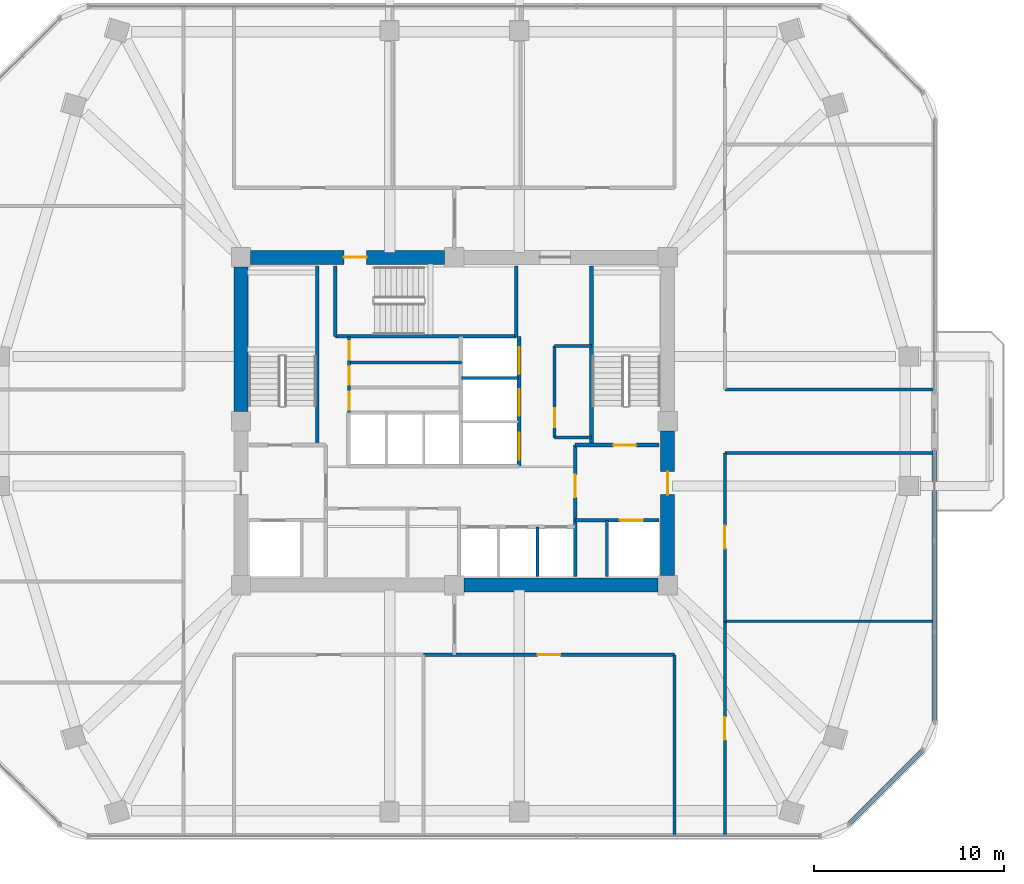
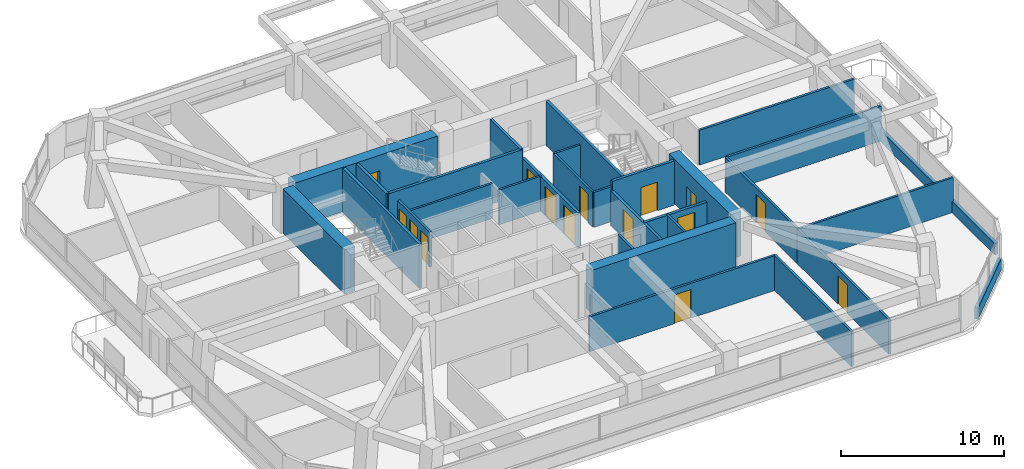
# One storey, part 11 of 14: 30 walls, 15 doors, 15 openings.
"""IFC4 building model written with IfcOpenShell, lengths in metres."""

from ifc_helpers import new_model, si_unit, derived_unit, direction, frame, frame_2d, origin, place, context, subcontext, project, spatial, rectangle, extrude, material, layer, layer_set, type_object, element, fill, save


model = new_model("IFC4")

# Units and contexts
model_context = context("Model", 3, precision=1e-05, world=origin(), true_north=direction((0.0, 1.0)))
body_context = subcontext(model_context, "Body", "Model", "MODEL_VIEW")
ifc_project = project(units=[si_unit("LENGTHUNIT", "METRE"), si_unit("AREAUNIT", "SQUARE_METRE"), si_unit("VOLUMEUNIT", "CUBIC_METRE"), si_unit("PLANEANGLEUNIT", "RADIAN"), si_unit("MASSUNIT", "GRAM", prefix="KILO"), derived_unit("THERMALTRANSMITTANCEUNIT", [(si_unit("POWERUNIT", "WATT"), 1), (si_unit("LENGTHUNIT", "METRE"), -2), (si_unit("THERMODYNAMICTEMPERATUREUNIT", "KELVIN"), -1)])], contexts=[model_context])

# Site, building, storey
site_placement = place(None, origin())
site = spatial("IfcSite", under=ifc_project, at=site_placement, CompositionType="ELEMENT")
building_placement = place(site_placement, origin())
building = spatial("IfcBuilding", under=site, at=building_placement, Name="Koralith Skygarden Medical Center", CompositionType="ELEMENT")
storey_placement = place(building_placement, frame((0.0, 0.0, 106.3798828125)))
storey = spatial("IfcBuildingStorey", under=building, at=storey_placement, Name="L27", CompositionType="ELEMENT", Elevation=106.3798828125)

# Wall, opening, door
ifc_material_1 = material(Name="Gypsum Board Partition")
ifc_layer_1 = layer(ifc_material_1, 0.14990234375)
ifc_layer_set_1 = layer_set([ifc_layer_1], Name="Gypsum Board Partition")
wall_type_1 = type_object("IfcWallType", Name="Clinical Acoustic Partition 150", PredefinedType="PARTITIONING", material=ifc_layer_set_1)
wall_1_placement = place(storey_placement, frame((42.27001953125, 25.0400390625, 0.0), z_axis=(0.0, 0.0, 1.0), x_axis=(0.0, 1.0, 0.0)))
wall_1 = element("IfcWall", 1, at=wall_1_placement, inside=storey, type_object=wall_type_1, Name="L27 Clinical Acoustic Partition 150 W-CORE-L27-ESUB-W", PredefinedType="PARTITIONING", context=body_context, shape_type="SweptSolid", body=[
    extrude(rectangle(XDim=4.820068359375, YDim=0.14990234375, at=frame_2d((2.41015625, 0.0))), origin(), (0.0, 0.0, 1.0), 2.610107421875),
])
opening_1_placement = place(wall_1_placement, frame((0.550048828125, 0.0, 0.0)))
opening_1 = element("IfcOpeningElement", 2, at=opening_1_placement, cuts=wall_1, Name="Opening D-SUP", PredefinedType="OPENING", context=body_context, shape_type="SweptSolid", body=[
    extrude(rectangle(XDim=1.0, YDim=2.14990234375, at=frame_2d((0.5, 1.074951171875))), frame((0.0, 0.0849609375, 0.0), z_axis=(0.0, -1.0, 0.0), x_axis=(1.0, 0.0, 0.0)), (0.0, 0.0, 1.0), 0.169921875),
])
ifc_material_2 = material(Name="Aluminium 6063-T6", Category="aluminium")
door_type_1 = type_object("IfcDoorType", Name="Clinical Support Door D-SUP 1000", OperationType="NOTDEFINED", PredefinedType="DOOR", material=ifc_material_2)
door_1_placement = place(opening_1_placement, origin())
door_1 = element("IfcDoor", 3, at=door_1_placement, inside=storey, type_object=door_type_1, Name="L27 Core Equipment Store Door", OperationType="SINGLE_SWING_LEFT", OverallHeight=2.14990234375, OverallWidth=1.0, PredefinedType="DOOR", context=body_context, shape_type="SweptSolid", body=[
    extrude(rectangle(XDim=1.0, YDim=2.14990234375, at=frame_2d((0.5, 1.074951171875))), frame((0.0, 0.02490234375, 0.0), z_axis=(0.0, -1.0, 0.0), x_axis=(1.0, 0.0, 0.0)), (0.0, 0.0, 1.0), 0.050048828125),
])
fill(opening_1, door_1)

# Walls
for number, where, z_axis, x_axis, name in (
    (4, (42.27001953125, 25.0400390625, 0.0), (0.0, 0.0, 1.0), (1.0, 0.0, 0.0), "L27 Clinical Acoustic Partition 150 W-CORE-L27-ESUB-S"),
    (5, (42.27001953125, 29.860107421875, 0.0), (0.0, 0.0, 1.0), (1.0, 0.0, 0.0), "L27 Clinical Acoustic Partition 150 W-CORE-L27-ESUB-N"),
):
    element("IfcWall", number, at=place(storey_placement, frame(where, z_axis=z_axis, x_axis=x_axis)), inside=storey, type_object=wall_type_1, Name=name, PredefinedType="PARTITIONING", context=body_context, shape_type="SweptSolid", body=[
        extrude(rectangle(XDim=1.929931640625, YDim=0.14990234375, at=frame_2d((0.96484375, 0.0))), origin(), (0.0, 0.0, 1.0), 2.610107421875),
    ])
wall_2_placement = place(storey_placement, frame((31.47998046875, 28.97998046875, 0.0), z_axis=(0.0, 0.0, 1.0), x_axis=(1.0, 0.0, 0.0)))
element("IfcWall", 6, at=wall_2_placement, inside=storey, type_object=wall_type_1, Name="L27 Clinical Acoustic Partition 150 W-CORE-L27-FLEX-H1B", PredefinedType="PARTITIONING", context=body_context, shape_type="SweptSolid", body=[
    extrude(rectangle(XDim=5.89013671875, YDim=0.14990234375, at=frame_2d((2.945068359375, 0.0))), origin(), (0.0, 0.0, 1.0), 2.610107421875),
])
wall_3_placement = place(storey_placement, frame((51.2099609375, 15.39697265625, 0.0), z_axis=(0.0, 0.0, 1.0), x_axis=(1.0, 0.0, 0.0)))
element("IfcWall", 7, at=wall_3_placement, inside=storey, type_object=wall_type_1, Name="L27 Clinical Acoustic Partition 150 W-PART-L27-ES-01", PredefinedType="PARTITIONING", context=body_context, shape_type="SweptSolid", body=[
    extrude(rectangle(XDim=10.97900390625, YDim=0.14990234375, at=frame_2d((5.489501953125, 0.0))), origin(), (0.0, 0.0, 1.0), 2.610107421875),
])
ifc_layer_2 = layer(ifc_material_1, 0.1650390625)
ifc_layer_set_2 = layer_set([ifc_layer_2], Name="Gypsum Board Partition")
wall_type_2 = type_object("IfcWallType", Name="Clinical Corridor Partition 165", PredefinedType="PARTITIONING", material=ifc_layer_set_2)
wall_4_placement = place(storey_placement, frame((48.570068359375, 4.14208984375, 0.0), z_axis=(0.0, 0.0, 1.0), x_axis=(0.0, 1.0, 0.0)))
element("IfcWall", 8, at=wall_4_placement, inside=storey, type_object=wall_type_2, Name="L27 Clinical Corridor Partition 165 W-HCOR-L27-SE", PredefinedType="PARTITIONING", context=body_context, shape_type="SweptSolid", body=[
    extrude(rectangle(XDim=9.497802734375, YDim=0.1650390625, at=frame_2d((4.7490234375, 0.0))), origin(), (0.0, 0.0, 1.0), 2.610107421875),
])
for number, where, z_axis, x_axis, name in (
    (9, (51.2099609375, 24.239990234375, 0.0), (0.0, 0.0, 1.0), (1.0, 0.0, 0.0), "L27 Clinical Corridor Partition 165 W-HCOR-L27-EWS-E"),
    (10, (51.2099609375, 27.56005859375, 0.0), (0.0, 0.0, 1.0), (1.0, 0.0, 0.0), "L27 Clinical Corridor Partition 165 W-HCOR-L27-EWN-E"),
):
    element("IfcWall", number, at=place(storey_placement, frame(where, z_axis=z_axis, x_axis=x_axis)), inside=storey, type_object=wall_type_2, Name=name, PredefinedType="PARTITIONING", context=body_context, shape_type="SweptSolid", body=[
        extrude(rectangle(XDim=10.97900390625, YDim=0.1650390625, at=frame_2d((5.489501953125, 0.0))), origin(), (0.0, 0.0, 1.0), 2.610107421875),
    ])

# Wall, opening, door
wall_5_placement = place(storey_placement, frame((35.382080078125, 13.639892578125, 0.0), z_axis=(0.0, 0.0, 1.0), x_axis=(1.0, 0.0, 0.0)))
wall_5 = element("IfcWall", 11, at=wall_5_placement, inside=storey, type_object=wall_type_2, Name="L27 Clinical Corridor Partition 165 W-CORR-L27-S-02", PredefinedType="PARTITIONING", context=body_context, shape_type="SweptSolid", body=[
    extrude(rectangle(XDim=13.18798828125, YDim=0.1650390625, at=frame_2d((6.593994140625, 0.0))), origin(), (0.0, 0.0, 1.0), 2.610107421875),
])
opening_2_placement = place(wall_5_placement, frame((5.993896484375, 0.0, 0.0)))
opening_2 = element("IfcOpeningElement", 12, at=opening_2_placement, cuts=wall_5, Name="Opening D-CLN", PredefinedType="OPENING", context=body_context, shape_type="SweptSolid", body=[
    extrude(rectangle(XDim=1.199951171875, YDim=2.14990234375, at=frame_2d((0.60009765625, 1.074951171875))), frame((0.0, 0.092529296875, 0.0), z_axis=(0.0, -1.0, 0.0), x_axis=(1.0, 0.0, 0.0)), (0.0, 0.0, 1.0), 0.18505859375),
])
door_type_2 = type_object("IfcDoorType", Name="Clinical Corridor Door D-CLN 1200", OperationType="NOTDEFINED", PredefinedType="DOOR", material=ifc_material_2)
door_2_placement = place(opening_2_placement, frame((1.199951171875, 0.0, 0.0), z_axis=(0.0, 0.0, 1.0), x_axis=(-1.0, 0.0, 0.0)))
door_2 = element("IfcDoor", 13, at=door_2_placement, inside=storey, type_object=door_type_2, Name="L27 Tumor Board Conference Room 05 Door", OperationType="SINGLE_SWING_RIGHT", OverallHeight=2.14990234375, OverallWidth=1.199951171875, PredefinedType="DOOR", context=body_context, shape_type="SweptSolid", body=[
    extrude(rectangle(XDim=1.199951171875, YDim=2.14990234375, at=frame_2d((0.60009765625, 1.074951171875))), frame((0.0, 0.02490234375, 0.0), z_axis=(0.0, -1.0, 0.0), x_axis=(1.0, 0.0, 0.0)), (0.0, 0.0, 1.0), 0.050048828125),
])
fill(opening_2, door_2)

wall_6_placement = place(storey_placement, frame((51.2099609375, 4.14208984375, 0.0), z_axis=(0.0, 0.0, 1.0), x_axis=(0.0, 1.0, 0.0)))
wall_6 = element("IfcWall", 14, at=wall_6_placement, inside=storey, type_object=wall_type_2, Name="L27 Clinical Corridor Partition 165 W-CORR-L27-ES-01", PredefinedType="PARTITIONING", context=body_context, shape_type="SweptSolid", body=[
    extrude(rectangle(XDim=11.2548828125, YDim=0.1650390625, at=frame_2d((5.62744140625, 0.0))), origin(), (0.0, 0.0, 1.0), 2.610107421875),
])
opening_3_placement = place(wall_6_placement, frame((5.027099609375, 0.0, 0.0)))
opening_3 = element("IfcOpeningElement", 15, at=opening_3_placement, cuts=wall_6, Name="Opening D-CLN", PredefinedType="OPENING", context=body_context, shape_type="SweptSolid", body=[
    extrude(rectangle(XDim=1.199951171875, YDim=2.14990234375, at=frame_2d((0.60009765625, 1.074951171875))), frame((0.0, 0.092529296875, 0.0), z_axis=(0.0, -1.0, 0.0), x_axis=(1.0, 0.0, 0.0)), (0.0, 0.0, 1.0), 0.18505859375),
])
door_3_placement = place(opening_3_placement, origin())
door_3 = element("IfcDoor", 16, at=door_3_placement, inside=storey, type_object=door_type_2, Name="L27 Staff Nutrition Pantry 11 Door", OperationType="SINGLE_SWING_RIGHT", OverallHeight=2.14990234375, OverallWidth=1.199951171875, PredefinedType="DOOR", context=body_context, shape_type="SweptSolid", body=[
    extrude(rectangle(XDim=1.199951171875, YDim=2.14990234375, at=frame_2d((0.60009765625, 1.074951171875))), frame((0.0, 0.02490234375, 0.0), z_axis=(0.0, -1.0, 0.0), x_axis=(1.0, 0.0, 0.0)), (0.0, 0.0, 1.0), 0.050048828125),
])
fill(opening_3, door_3)

wall_7_placement = place(storey_placement, frame((51.2099609375, 15.39697265625, 0.0), z_axis=(0.0, 0.0, 1.0), x_axis=(0.0, 1.0, 0.0)))
wall_7 = element("IfcWall", 17, at=wall_7_placement, inside=storey, type_object=wall_type_2, Name="L27 Clinical Corridor Partition 165 W-CORR-L27-ES-02", PredefinedType="PARTITIONING", context=body_context, shape_type="SweptSolid", body=[
    extrude(rectangle(XDim=8.843017578125, YDim=0.1650390625, at=frame_2d((4.42138671875, 0.0))), origin(), (0.0, 0.0, 1.0), 2.610107421875),
])
opening_4_placement = place(wall_7_placement, frame((3.821044921875, 0.0, 0.0)))
opening_4 = element("IfcOpeningElement", 18, at=opening_4_placement, cuts=wall_7, Name="Opening D-CLN", PredefinedType="OPENING", context=body_context, shape_type="SweptSolid", body=[
    extrude(rectangle(XDim=1.199951171875, YDim=2.14990234375, at=frame_2d((0.60009765625, 1.074951171875))), frame((0.0, 0.092529296875, 0.0), z_axis=(0.0, -1.0, 0.0), x_axis=(1.0, 0.0, 0.0)), (0.0, 0.0, 1.0), 0.18505859375),
])
door_4_placement = place(opening_4_placement, origin())
door_4 = element("IfcDoor", 19, at=door_4_placement, inside=storey, type_object=door_type_2, Name="L27 Clean Utility Supply Store 12 Door", OperationType="SINGLE_SWING_LEFT", OverallHeight=2.14990234375, OverallWidth=1.199951171875, PredefinedType="DOOR", context=body_context, shape_type="SweptSolid", body=[
    extrude(rectangle(XDim=1.199951171875, YDim=2.14990234375, at=frame_2d((0.60009765625, 1.074951171875))), frame((0.0, 0.02490234375, 0.0), z_axis=(0.0, -1.0, 0.0), x_axis=(1.0, 0.0, 0.0)), (0.0, 0.0, 1.0), 0.050048828125),
])
fill(opening_4, door_4)

ifc_layer_3 = layer(ifc_material_1, 0.199951171875)
ifc_layer_set_3 = layer_set([ifc_layer_3], Name="Gypsum Board Partition")
wall_type_3 = type_object("IfcWallType", Name="Fire Shaft Wall 200", PredefinedType="SOLIDWALL", material=ifc_layer_set_3)
wall_8_placement = place(storey_placement, frame((43.35009765625, 20.699951171875, 0.0), z_axis=(0.0, 0.0, 1.0), x_axis=(1.0, 0.0, 0.0)))
wall_8 = element("IfcWall", 20, at=wall_8_placement, inside=storey, type_object=wall_type_3, Name="L27 Fire Shaft Wall 200 W-CORE-L27-FF2-N", PredefinedType="SOLIDWALL", context=body_context, shape_type="SweptSolid", body=[
    extrude(rectangle(XDim=4.39990234375, YDim=0.199951171875, at=frame_2d((2.199951171875, 0.0))), origin(), (0.0, 0.0, 1.0), 2.610107421875),
])
opening_5_placement = place(wall_8_placement, frame((2.35009765625, 0.0, 0.0)))
opening_5 = element("IfcOpeningElement", 21, at=opening_5_placement, cuts=wall_8, Name="Opening LD-FF", PredefinedType="OPENING", context=body_context, shape_type="SweptSolid", body=[
    extrude(rectangle(XDim=1.199951171875, YDim=2.14990234375, at=frame_2d((0.60009765625, 1.074951171875))), frame((0.0, 0.10986328125, 0.0), z_axis=(0.0, -1.0, 0.0), x_axis=(1.0, 0.0, 0.0)), (0.0, 0.0, 1.0), 0.219970703125),
])
ifc_material_3 = material(Name="Steel ASTM A500 Grade C", Category="steel")
door_type_3 = type_object("IfcDoorType", Name="Fire Lift Sliding Landing Door LD-FF 1200", OperationType="NOTDEFINED", PredefinedType="DOOR", material=ifc_material_3)
door_5_placement = place(opening_5_placement, origin())
door_5 = element("IfcDoor", 22, at=door_5_placement, inside=storey, type_object=door_type_3, Name="L27 Fire Service Elevator FF2 Landing Door", OperationType="SLIDING_TO_RIGHT", OverallHeight=2.14990234375, OverallWidth=1.199951171875, PredefinedType="DOOR", context=body_context, shape_type="SweptSolid", body=[
    extrude(rectangle(XDim=1.199951171875, YDim=2.14990234375, at=frame_2d((0.60009765625, 1.074951171875))), frame((0.0, 0.02490234375, 0.0), z_axis=(0.0, -1.0, 0.0), x_axis=(1.0, 0.0, 0.0)), (0.0, 0.0, 1.0), 0.050048828125),
])
fill(opening_5, door_5)

wall_9_placement = place(storey_placement, frame((43.35009765625, 17.75, 0.0), z_axis=(0.0, 0.0, 1.0), x_axis=(0.0, 1.0, 0.0)))
wall_9 = element("IfcWall", 23, at=wall_9_placement, inside=storey, type_object=wall_type_3, Name="L27 Fire Shaft Wall 200 W-CORE-L27-FSAEE-W", PredefinedType="SOLIDWALL", context=body_context, shape_type="SweptSolid", body=[
    extrude(rectangle(XDim=6.89990234375, YDim=0.199951171875, at=frame_2d((3.449951171875, 0.0))), origin(), (0.0, 0.0, 1.0), 2.610107421875),
])
opening_6_placement = place(wall_9_placement, frame((4.14990234375, 0.0, 0.0)))
opening_6 = element("IfcOpeningElement", 24, at=opening_6_placement, cuts=wall_9, Name="Opening D-ST60", PredefinedType="OPENING", context=body_context, shape_type="SweptSolid", body=[
    extrude(rectangle(XDim=1.199951171875, YDim=2.14990234375, at=frame_2d((0.60009765625, 1.074951171875))), frame((0.0, 0.10986328125, 0.0), z_axis=(0.0, -1.0, 0.0), x_axis=(1.0, 0.0, 0.0)), (0.0, 0.0, 1.0), 0.219970703125),
])
door_type_4 = type_object("IfcDoorType", Name="Smokeproof Stair Fire Door FD60S 1200", OperationType="NOTDEFINED", PredefinedType="DOOR", material=ifc_material_3)
door_6_placement = place(opening_6_placement, frame((1.199951171875, 0.0, 0.0), z_axis=(0.0, 0.0, 1.0), x_axis=(-1.0, 0.0, 0.0)))
door_6 = element("IfcDoor", 25, at=door_6_placement, inside=storey, type_object=door_type_4, Name="L27 East Firefighting Lobby Inner Fire Door", OperationType="SINGLE_SWING_RIGHT", OverallHeight=2.14990234375, OverallWidth=1.199951171875, PredefinedType="DOOR", context=body_context, shape_type="SweptSolid", body=[
    extrude(rectangle(XDim=1.199951171875, YDim=2.14990234375, at=frame_2d((0.60009765625, 1.074951171875))), frame((0.0, 0.02490234375, 0.0), z_axis=(0.0, -1.0, 0.0), x_axis=(1.0, 0.0, 0.0)), (0.0, 0.0, 1.0), 0.050048828125),
])
fill(opening_6, door_6)

# Wall, openings, doors
wall_10_placement = place(storey_placement, frame((40.39990234375, 23.5400390625, 0.0), z_axis=(0.0, 0.0, 1.0), x_axis=(0.0, 1.0, 0.0)))
wall_10 = element("IfcWall", 26, at=wall_10_placement, inside=storey, type_object=wall_type_3, Name="L27 Fire Shaft Wall 200 W-CORE-L27-SV-E", PredefinedType="SOLIDWALL", context=body_context, shape_type="SweptSolid", body=[
    extrude(rectangle(XDim=6.820068359375, YDim=0.199951171875, at=frame_2d((3.41015625, 0.0))), origin(), (0.0, 0.0, 1.0), 2.610107421875),
])
opening_7_placement = place(wall_10_placement, frame((0.35009765625, 0.0, 0.0)))
opening_7 = element("IfcOpeningElement", 27, at=opening_7_placement, cuts=wall_10, Name="Opening LD-SV", PredefinedType="OPENING", context=body_context, shape_type="SweptSolid", body=[
    extrude(rectangle(XDim=1.39990234375, YDim=2.199951171875, at=frame_2d((0.699951171875, 1.10009765625))), frame((0.0, 0.10986328125, 0.0), z_axis=(0.0, -1.0, 0.0), x_axis=(1.0, 0.0, 0.0)), (0.0, 0.0, 1.0), 0.219970703125),
])
opening_8_placement = place(wall_10_placement, frame((2.64990234375, 0.0, 0.0)))
opening_8 = element("IfcOpeningElement", 28, at=opening_8_placement, cuts=wall_10, Name="Opening LD-SV", PredefinedType="OPENING", context=body_context, shape_type="SweptSolid", body=[
    extrude(rectangle(XDim=1.39990234375, YDim=2.199951171875, at=frame_2d((0.699951171875, 1.10009765625))), frame((0.0, 0.10986328125, 0.0), z_axis=(0.0, -1.0, 0.0), x_axis=(1.0, 0.0, 0.0)), (0.0, 0.0, 1.0), 0.219970703125),
])
opening_9_placement = place(wall_10_placement, frame((4.85009765625, 0.0, 0.0)))
opening_9 = element("IfcOpeningElement", 29, at=opening_9_placement, cuts=wall_10, Name="Opening LD-SV", PredefinedType="OPENING", context=body_context, shape_type="SweptSolid", body=[
    extrude(rectangle(XDim=1.39990234375, YDim=2.199951171875, at=frame_2d((0.699951171875, 1.10009765625))), frame((0.0, 0.10986328125, 0.0), z_axis=(0.0, -1.0, 0.0), x_axis=(1.0, 0.0, 0.0)), (0.0, 0.0, 1.0), 0.219970703125),
])
door_type_5 = type_object("IfcDoorType", Name="Bed Lift Sliding Landing Door LD-SV 1400", OperationType="NOTDEFINED", PredefinedType="DOOR", material=ifc_material_3)
door_7_placement = place(opening_7_placement, origin())
door_7 = element("IfcDoor", 30, at=door_7_placement, inside=storey, type_object=door_type_5, Name="L27 Bed Elevator BD1 Landing Door", OperationType="SLIDING_TO_LEFT", OverallHeight=2.199951171875, OverallWidth=1.39990234375, PredefinedType="DOOR", context=body_context, shape_type="SweptSolid", body=[
    extrude(rectangle(XDim=1.39990234375, YDim=2.199951171875, at=frame_2d((0.699951171875, 1.10009765625))), frame((0.0, 0.02490234375, 0.0), z_axis=(0.0, -1.0, 0.0), x_axis=(1.0, 0.0, 0.0)), (0.0, 0.0, 1.0), 0.050048828125),
])
fill(opening_7, door_7)
door_8_placement = place(opening_8_placement, origin())
door_8 = element("IfcDoor", 31, at=door_8_placement, inside=storey, type_object=door_type_5, Name="L27 Service Elevator BD2 Landing Door", OperationType="SLIDING_TO_LEFT", OverallHeight=2.199951171875, OverallWidth=1.39990234375, PredefinedType="DOOR", context=body_context, shape_type="SweptSolid", body=[
    extrude(rectangle(XDim=1.39990234375, YDim=2.199951171875, at=frame_2d((0.699951171875, 1.10009765625))), frame((0.0, 0.02490234375, 0.0), z_axis=(0.0, -1.0, 0.0), x_axis=(1.0, 0.0, 0.0)), (0.0, 0.0, 1.0), 0.050048828125),
])
fill(opening_8, door_8)
door_9_placement = place(opening_9_placement, origin())
door_9 = element("IfcDoor", 32, at=door_9_placement, inside=storey, type_object=door_type_5, Name="L27 Trauma Elevator TR1 Landing Door", OperationType="SLIDING_TO_RIGHT", OverallHeight=2.199951171875, OverallWidth=1.39990234375, PredefinedType="DOOR", context=body_context, shape_type="SweptSolid", body=[
    extrude(rectangle(XDim=1.39990234375, YDim=2.199951171875, at=frame_2d((0.699951171875, 1.10009765625))), frame((0.0, 0.02490234375, 0.0), z_axis=(0.0, -1.0, 0.0), x_axis=(1.0, 0.0, 0.0)), (0.0, 0.0, 1.0), 0.050048828125),
])
fill(opening_9, door_9)

# Walls
ifc_material_4 = material(Name="Warm Oolitic Limestone Cladding", Category="masonry")
ifc_layer_4 = layer(ifc_material_4, 0.239990234375)
ifc_layer_set_4 = layer_set([ifc_layer_4], Name="Warm Oolitic Limestone Cladding")
wall_type_4 = type_object("IfcWallType", Name="Limestone Spandrel Sill Backup Wall 240", PredefinedType="SOLIDWALL", material=ifc_layer_set_4)
wall_11_placement = place(storey_placement, frame((57.68408203125, 4.72412109375, 0.0), z_axis=(0.0, 0.0, 1.0), x_axis=(0.707106781187, 0.707106781187, 0.0)))
element("IfcWall", 33, at=wall_11_placement, inside=storey, type_object=wall_type_4, Name="L27 Sill Spandrel SE", PredefinedType="SOLIDWALL", context=body_context, shape_type="SweptSolid", body=[
    extrude(rectangle(XDim=5.5478515625, YDim=0.239990234375, at=frame_2d((2.77392578125, 0.0))), origin(), (0.0, 0.0, 1.0), 0.85009765625),
])
wall_12_placement = place(storey_placement, frame((62.208984375, 10.097900390625, 0.0), z_axis=(0.0, 0.0, 1.0), x_axis=(0.0, 1.0, 0.0)))
element("IfcWall", 34, at=wall_12_placement, inside=storey, type_object=wall_type_4, Name="L27 Sill Spandrel E-L", PredefinedType="SOLIDWALL", context=body_context, shape_type="SweptSolid", body=[
    extrude(rectangle(XDim=14.26220703125, YDim=0.239990234375, at=frame_2d((7.131103515625, 0.0))), origin(), (0.0, 0.0, 1.0), 0.85009765625),
])
ifc_material_5 = material(Name="Concrete C70/85", Category="concrete")
ifc_layer_5 = layer(ifc_material_5, 0.75)
ifc_layer_set_5 = layer_set([ifc_layer_5], Name="Concrete C70/85")
wall_type_5 = type_object("IfcWallType", Name="Mid Core Shear Wall 750", PredefinedType="SHEAR", material=ifc_layer_set_5)
wall_13_placement = place(storey_placement, frame((37.5048828125, 17.300048828125, 0.0), z_axis=(0.0, 0.0, 1.0), x_axis=(1.0, 0.0, 0.0)))
element("IfcWall", 35, at=wall_13_placement, inside=storey, type_object=wall_type_5, Name="L27 Core Shear Wall Segment 2", PredefinedType="SHEAR", context=body_context, shape_type="SweptSolid", body=[
    extrude(rectangle(XDim=10.190185546875, YDim=0.75, at=frame_2d((5.09521484375, 0.0))), origin(), (0.0, 0.0, 1.0), 3.320068359375),
])

# Wall, opening, door
wall_14_placement = place(storey_placement, frame((48.199951171875, 17.804931640625, 0.0), z_axis=(0.0, 0.0, 1.0), x_axis=(0.0, 1.0, 0.0)))
wall_14 = element("IfcWall", 36, at=wall_14_placement, inside=storey, type_object=wall_type_5, Name="L27 Core Shear Wall Segment 3", PredefinedType="SHEAR", context=body_context, shape_type="SweptSolid", body=[
    extrude(rectangle(XDim=7.590087890625, YDim=0.75, at=frame_2d((3.794921875, 0.0))), origin(), (0.0, 0.0, 1.0), 3.320068359375),
])
opening_10_placement = place(wall_14_placement, frame((4.2451171875, 0.0, 0.0)))
opening_10 = element("IfcOpeningElement", 37, at=opening_10_placement, cuts=wall_14, Name="Opening D-ST60", PredefinedType="OPENING", context=body_context, shape_type="SweptSolid", body=[
    extrude(rectangle(XDim=1.199951171875, YDim=2.14990234375, at=frame_2d((0.60009765625, 1.074951171875))), frame((0.0, 0.385009765625, 0.0), z_axis=(0.0, -1.0, 0.0), x_axis=(1.0, 0.0, 0.0)), (0.0, 0.0, 1.0), 0.77001953125),
])
door_10_placement = place(opening_10_placement, frame((1.199951171875, 0.0, 0.0), z_axis=(0.0, 0.0, 1.0), x_axis=(-1.0, 0.0, 0.0)))
door_10 = element("IfcDoor", 38, at=door_10_placement, inside=storey, type_object=door_type_4, Name="L27 East Corridor to Firefighting Lobby Door", OperationType="SINGLE_SWING_RIGHT", OverallHeight=2.14990234375, OverallWidth=1.199951171875, PredefinedType="DOOR", context=body_context, shape_type="SweptSolid", body=[
    extrude(rectangle(XDim=1.199951171875, YDim=2.14990234375, at=frame_2d((0.60009765625, 1.074951171875))), frame((0.0, 0.02490234375, 0.0), z_axis=(0.0, -1.0, 0.0), x_axis=(1.0, 0.0, 0.0)), (0.0, 0.0, 1.0), 0.050048828125),
])
fill(opening_10, door_10)

wall_15_placement = place(storey_placement, frame((36.4951171875, 34.5, 0.0), z_axis=(0.0, 0.0, 1.0), x_axis=(-1.0, 0.0, 0.0)))
wall_15 = element("IfcWall", 39, at=wall_15_placement, inside=storey, type_object=wall_type_5, Name="L27 Core Shear Wall Segment 6", PredefinedType="SHEAR", context=body_context, shape_type="SweptSolid", body=[
    extrude(rectangle(XDim=10.190185546875, YDim=0.75, at=frame_2d((5.09521484375, 0.0))), origin(), (0.0, 0.0, 1.0), 3.320068359375),
])
opening_11_placement = place(wall_15_placement, frame((4.094970703125, 0.0, 0.0)))
opening_11 = element("IfcOpeningElement", 40, at=opening_11_placement, cuts=wall_15, Name="Opening D-ST60", PredefinedType="OPENING", context=body_context, shape_type="SweptSolid", body=[
    extrude(rectangle(XDim=1.199951171875, YDim=2.14990234375, at=frame_2d((0.60009765625, 1.074951171875))), frame((0.0, 0.385009765625, 0.0), z_axis=(0.0, -1.0, 0.0), x_axis=(1.0, 0.0, 0.0)), (0.0, 0.0, 1.0), 0.77001953125),
])
door_11_placement = place(opening_11_placement, frame((1.199951171875, 0.0, 0.0), z_axis=(0.0, 0.0, 1.0), x_axis=(-1.0, 0.0, 0.0)))
door_11 = element("IfcDoor", 41, at=door_11_placement, inside=storey, type_object=door_type_4, Name="L27 Exit Stair ST3 Fire Door", OperationType="SINGLE_SWING_LEFT", OverallHeight=2.14990234375, OverallWidth=1.199951171875, PredefinedType="DOOR", context=body_context, shape_type="SweptSolid", body=[
    extrude(rectangle(XDim=1.199951171875, YDim=2.14990234375, at=frame_2d((0.60009765625, 1.074951171875))), frame((0.0, 0.02490234375, 0.0), z_axis=(0.0, -1.0, 0.0), x_axis=(1.0, 0.0, 0.0)), (0.0, 0.0, 1.0), 0.050048828125),
])
fill(opening_11, door_11)

# Wall
wall_16_placement = place(storey_placement, frame((25.800048828125, 33.9951171875, 0.0), z_axis=(0.0, 0.0, 1.0), x_axis=(0.0, -1.0, 0.0)))
element("IfcWall", 42, at=wall_16_placement, inside=storey, type_object=wall_type_5, Name="L27 Core Shear Wall Segment 7", PredefinedType="SHEAR", context=body_context, shape_type="SweptSolid", body=[
    extrude(rectangle(XDim=7.590087890625, YDim=0.75, at=frame_2d((3.794921875, 0.0))), origin(), (0.0, 0.0, 1.0), 3.320068359375),
])

# Wall, openings, doors
ifc_layer_6 = layer(ifc_material_1, 0.1650390625)
ifc_layer_set_6 = layer_set([ifc_layer_6], Name="Gypsum Board Partition")
wall_type_6 = type_object("IfcWallType", Name="Plumbing Wet Wall 165", PredefinedType="PLUMBINGWALL", material=ifc_layer_set_6)
wall_17_placement = place(storey_placement, frame((31.47998046875, 26.320068359375, 0.0), z_axis=(0.0, 0.0, 1.0), x_axis=(0.0, 1.0, 0.0)))
wall_17 = element("IfcWall", 43, at=wall_17_placement, inside=storey, type_object=wall_type_6, Name="L27 Plumbing Wet Wall 165 W-CORE-L27-FLEX-W", PredefinedType="PLUMBINGWALL", context=body_context, shape_type="SweptSolid", body=[
    extrude(rectangle(XDim=4.0400390625, YDim=0.1650390625, at=frame_2d((2.02001953125, 0.0))), origin(), (0.0, 0.0, 1.0), 2.610107421875),
])
opening_12_placement = place(wall_17_placement, frame((0.179931640625, 0.0, 0.0)))
opening_12 = element("IfcOpeningElement", 44, at=opening_12_placement, cuts=wall_17, Name="Opening D-WC", PredefinedType="OPENING", context=body_context, shape_type="SweptSolid", body=[
    extrude(rectangle(XDim=0.949951171875, YDim=2.10009765625, at=frame_2d((0.47509765625, 1.050048828125))), frame((0.0, 0.092529296875, 0.0), z_axis=(0.0, -1.0, 0.0), x_axis=(1.0, 0.0, 0.0)), (0.0, 0.0, 1.0), 0.18505859375),
])
opening_13_placement = place(wall_17_placement, frame((1.5, 0.0, 0.0)))
opening_13 = element("IfcOpeningElement", 45, at=opening_13_placement, cuts=wall_17, Name="Opening D-WC", PredefinedType="OPENING", context=body_context, shape_type="SweptSolid", body=[
    extrude(rectangle(XDim=0.949951171875, YDim=2.10009765625, at=frame_2d((0.47509765625, 1.050048828125))), frame((0.0, 0.092529296875, 0.0), z_axis=(0.0, -1.0, 0.0), x_axis=(1.0, 0.0, 0.0)), (0.0, 0.0, 1.0), 0.18505859375),
])
opening_14_placement = place(wall_17_placement, frame((2.820068359375, 0.0, 0.0)))
opening_14 = element("IfcOpeningElement", 46, at=opening_14_placement, cuts=wall_17, Name="Opening D-WC", PredefinedType="OPENING", context=body_context, shape_type="SweptSolid", body=[
    extrude(rectangle(XDim=0.949951171875, YDim=2.10009765625, at=frame_2d((0.47509765625, 1.050048828125))), frame((0.0, 0.092529296875, 0.0), z_axis=(0.0, -1.0, 0.0), x_axis=(1.0, 0.0, 0.0)), (0.0, 0.0, 1.0), 0.18505859375),
])
door_type_6 = type_object("IfcDoorType", Name="Accessible Toilet Door D-WC 950", OperationType="NOTDEFINED", PredefinedType="DOOR", material=ifc_material_2)
door_12_placement = place(opening_12_placement, frame((0.949951171875, 0.0, 0.0), z_axis=(0.0, 0.0, 1.0), x_axis=(-1.0, 0.0, 0.0)))
door_12 = element("IfcDoor", 47, at=door_12_placement, inside=storey, type_object=door_type_6, Name="L27 Core Accessible WC Door", OperationType="SINGLE_SWING_LEFT", OverallHeight=2.10009765625, OverallWidth=0.949951171875, PredefinedType="DOOR", context=body_context, shape_type="SweptSolid", body=[
    extrude(rectangle(XDim=0.949951171875, YDim=2.10009765625, at=frame_2d((0.47509765625, 1.050048828125))), frame((0.0, 0.02490234375, 0.0), z_axis=(0.0, -1.0, 0.0), x_axis=(1.0, 0.0, 0.0)), (0.0, 0.0, 1.0), 0.050048828125),
])
fill(opening_12, door_12)
door_13_placement = place(opening_13_placement, frame((0.949951171875, 0.0, 0.0), z_axis=(0.0, 0.0, 1.0), x_axis=(-1.0, 0.0, 0.0)))
door_13 = element("IfcDoor", 48, at=door_13_placement, inside=storey, type_object=door_type_6, Name="L27 Staff Pantry Door", OperationType="SINGLE_SWING_LEFT", OverallHeight=2.10009765625, OverallWidth=0.949951171875, PredefinedType="DOOR", context=body_context, shape_type="SweptSolid", body=[
    extrude(rectangle(XDim=0.949951171875, YDim=2.10009765625, at=frame_2d((0.47509765625, 1.050048828125))), frame((0.0, 0.02490234375, 0.0), z_axis=(0.0, -1.0, 0.0), x_axis=(1.0, 0.0, 0.0)), (0.0, 0.0, 1.0), 0.050048828125),
])
fill(opening_13, door_13)
door_14_placement = place(opening_14_placement, frame((0.949951171875, 0.0, 0.0), z_axis=(0.0, 0.0, 1.0), x_axis=(-1.0, 0.0, 0.0)))
door_14 = element("IfcDoor", 49, at=door_14_placement, inside=storey, type_object=door_type_6, Name="L27 IT Comms Door", OperationType="SINGLE_SWING_RIGHT", OverallHeight=2.10009765625, OverallWidth=0.949951171875, PredefinedType="DOOR", context=body_context, shape_type="SweptSolid", body=[
    extrude(rectangle(XDim=0.949951171875, YDim=2.10009765625, at=frame_2d((0.47509765625, 1.050048828125))), frame((0.0, 0.02490234375, 0.0), z_axis=(0.0, -1.0, 0.0), x_axis=(1.0, 0.0, 0.0)), (0.0, 0.0, 1.0), 0.050048828125),
])
fill(opening_14, door_14)

# Walls
ifc_layer_7 = layer(ifc_material_1, 0.14990234375)
ifc_layer_set_7 = layer_set([ifc_layer_7], Name="Gypsum Board Partition")
wall_type_7 = type_object("IfcWallType", Name="Shaft Partition Wall 150", PredefinedType="PARTITIONING", material=ifc_layer_set_7)
wall_18_placement = place(storey_placement, frame((45.02001953125, 17.75, 0.0), z_axis=(0.0, 0.0, 1.0), x_axis=(0.0, 1.0, 0.0)))
element("IfcWall", 50, at=wall_18_placement, inside=storey, type_object=wall_type_7, Name="L27 Shaft Partition Wall 150 W-CORE-L27-RSRE-DIV", PredefinedType="PARTITIONING", context=body_context, shape_type="SweptSolid", body=[
    extrude(rectangle(XDim=2.949951171875, YDim=0.14990234375, at=frame_2d((1.47509765625, 0.0))), origin(), (0.0, 0.0, 1.0), 2.610107421875),
])
wall_19_placement = place(storey_placement, frame((41.3701171875, 17.75, 0.0), z_axis=(0.0, 0.0, 1.0), x_axis=(0.0, 1.0, 0.0)))
element("IfcWall", 51, at=wall_19_placement, inside=storey, type_object=wall_type_7, Name="L27 Shaft Partition Wall 150 W-CORE-L27-PM-D2", PredefinedType="PARTITIONING", context=body_context, shape_type="SweptSolid", body=[
    extrude(rectangle(XDim=2.610107421875, YDim=0.14990234375, at=frame_2d((1.30517578125, 0.0))), origin(), (0.0, 0.0, 1.0), 2.610107421875),
])
wall_20_placement = place(storey_placement, frame((37.3701171875, 28.169921875, 0.0), z_axis=(0.0, 0.0, 1.0), x_axis=(1.0, 0.0, 0.0)))
element("IfcWall", 52, at=wall_20_placement, inside=storey, type_object=wall_type_7, Name="L27 Shaft Partition Wall 150 W-CORE-L27-SV-D2", PredefinedType="PARTITIONING", context=body_context, shape_type="SweptSolid", body=[
    extrude(rectangle(XDim=3.009765625, YDim=0.14990234375, at=frame_2d((1.5048828125, 0.0))), origin(), (0.0, 0.0, 1.0), 2.610107421875),
])
ifc_material_6 = material(Name="Concrete C45/55", Category="concrete")
ifc_layer_8 = layer(ifc_material_6, 0.199951171875)
ifc_layer_set_8 = layer_set([ifc_layer_8], Name="Concrete C45/55")
wall_type_8 = type_object("IfcWallType", Name="Structural Stair Shaft Wall 200", PredefinedType="SHEAR", material=ifc_layer_set_8)
for number, where, z_axis, x_axis, name in (
    (53, (29.800048828125, 24.64990234375, 0.0), (0.0, 0.0, 1.0), (0.0, 1.0, 0.0), "L27 Structural Stair Shaft Wall 200 W-CORE-L27-ST1-E"),
    (54, (44.199951171875, 24.64990234375, 0.0), (0.0, 0.0, 1.0), (0.0, 1.0, 0.0), "L27 Structural Stair Shaft Wall 200 W-CORE-L27-ST2-W"),
):
    element("IfcWall", number, at=place(storey_placement, frame(where, z_axis=z_axis, x_axis=x_axis)), inside=storey, type_object=wall_type_8, Name=name, PredefinedType="SHEAR", context=body_context, shape_type="SweptSolid", body=[
        extrude(rectangle(XDim=9.400146484375, YDim=0.199951171875, at=frame_2d((4.7001953125, 0.0))), origin(), (0.0, 0.0, 1.0), 3.320068359375),
    ])

# Wall, opening, door
wall_21_placement = place(storey_placement, frame((43.35009765625, 24.64990234375, 0.0), z_axis=(0.0, 0.0, 1.0), x_axis=(1.0, 0.0, 0.0)))
wall_21 = element("IfcWall", 55, at=wall_21_placement, inside=storey, type_object=wall_type_8, Name="L27 Structural Stair Shaft Wall 200 W-CORE-L27-ST2-S", PredefinedType="SHEAR", context=body_context, shape_type="SweptSolid", body=[
    extrude(rectangle(XDim=4.39990234375, YDim=0.199951171875, at=frame_2d((2.199951171875, 0.0))), origin(), (0.0, 0.0, 1.0), 3.320068359375),
])
opening_15_placement = place(wall_21_placement, frame((2.0, 0.0, 0.0)))
opening_15 = element("IfcOpeningElement", 56, at=opening_15_placement, cuts=wall_21, Name="Opening D-ST60", PredefinedType="OPENING", context=body_context, shape_type="SweptSolid", body=[
    extrude(rectangle(XDim=1.199951171875, YDim=2.14990234375, at=frame_2d((0.60009765625, 1.074951171875))), frame((0.0, 0.10986328125, 0.0), z_axis=(0.0, -1.0, 0.0), x_axis=(1.0, 0.0, 0.0)), (0.0, 0.0, 1.0), 0.219970703125),
])
door_15_placement = place(opening_15_placement, origin())
door_15 = element("IfcDoor", 57, at=door_15_placement, inside=storey, type_object=door_type_4, Name="L27 Exit Stair ST2 Fire Door", OperationType="SINGLE_SWING_RIGHT", OverallHeight=2.14990234375, OverallWidth=1.199951171875, PredefinedType="DOOR", context=body_context, shape_type="SweptSolid", body=[
    extrude(rectangle(XDim=1.199951171875, YDim=2.14990234375, at=frame_2d((0.60009765625, 1.074951171875))), frame((0.0, 0.02490234375, 0.0), z_axis=(0.0, -1.0, 0.0), x_axis=(1.0, 0.0, 0.0)), (0.0, 0.0, 1.0), 0.050048828125),
])
fill(opening_15, door_15)

# Walls
wall_22_placement = place(storey_placement, frame((30.75, 30.360107421875, 0.0), z_axis=(0.0, 0.0, 1.0), x_axis=(1.0, 0.0, 0.0)))
element("IfcWall", 58, at=wall_22_placement, inside=storey, type_object=wall_type_8, Name="L27 Structural Stair Shaft Wall 200 W-CORE-L27-ST3-S", PredefinedType="SHEAR", context=body_context, shape_type="SweptSolid", body=[
    extrude(rectangle(XDim=9.5, YDim=0.199951171875, at=frame_2d((4.75, 0.0))), origin(), (0.0, 0.0, 1.0), 3.320068359375),
])
for number, where, z_axis, x_axis, name in (
    (59, (30.75, 30.360107421875, 0.0), (0.0, 0.0, 1.0), (0.0, 1.0, 0.0), "L27 Structural Stair Shaft Wall 200 W-CORE-L27-ST3-W"),
    (60, (40.25, 30.360107421875, 0.0), (0.0, 0.0, 1.0), (0.0, 1.0, 0.0), "L27 Structural Stair Shaft Wall 200 W-CORE-L27-ST3-E"),
):
    element("IfcWall", number, at=place(storey_placement, frame(where, z_axis=z_axis, x_axis=x_axis)), inside=storey, type_object=wall_type_8, Name=name, PredefinedType="SHEAR", context=body_context, shape_type="SweptSolid", body=[
        extrude(rectangle(XDim=3.68994140625, YDim=0.199951171875, at=frame_2d((1.844970703125, 0.0))), origin(), (0.0, 0.0, 1.0), 3.320068359375),
    ])

save(model, "model.ifc")
